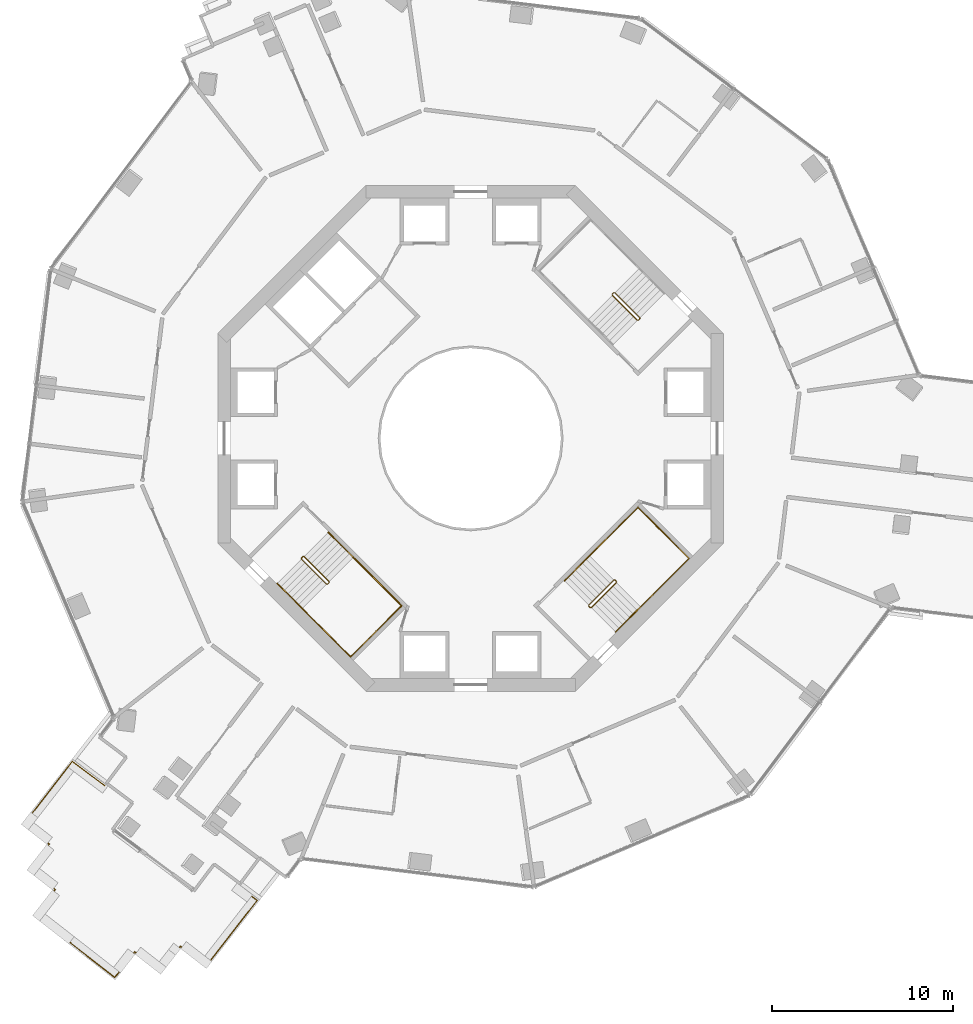
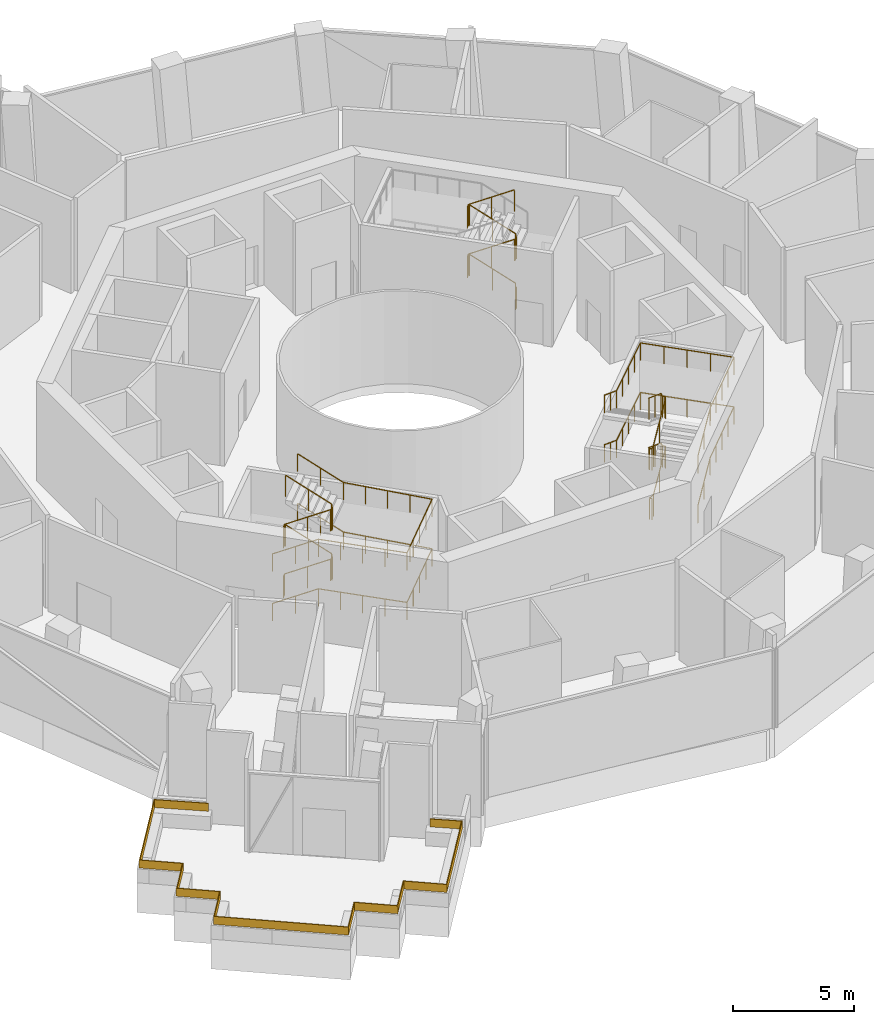
# One storey, part 16 of 17: 8 railings.
"""IFC4 building model written with IfcOpenShell, lengths in metres."""

import ifcopenshell
import ifcopenshell.guid

model = None  # the IFC model being written
_history = None  # IfcOwnerHistory: only IFC2X3 demands one
_inside = {}  # id of a spatial element -> (the spatial element, [elements in it])
_under = {}  # id of a project, library or spatial element -> (it, [spatial elements below it])
_declared = {}  # id of a project -> (the project, [libraries it declares])
_typed = {}  # id of a type object -> (the type object, [elements of that type])
_made_of = {}  # id of a material, layer set ... -> (it, [elements and type objects made of it])


def new_model(schema):
    """Start an empty IFC model of exactly this schema.

    Asked for "IFC4X3", IfcOpenShell would pick the latest addendum, in which some entities
    have other attributes; the version numbers below select the first issue.
    IFC2X3 requires an IfcOwnerHistory on every rooted entity: one is made here for all.
    """
    global model, _history
    if schema == "IFC4X3":
        model = ifcopenshell.file(schema_version=(4, 3, 0, 0))
    else:
        model = ifcopenshell.file(schema=schema)
    _inside.clear()
    _under.clear()
    _declared.clear()
    _typed.clear()
    _made_of.clear()
    _history = None
    if model.schema == "IFC2X3":
        org = make("IfcOrganization", Name="unknown")
        user = make(
            "IfcPersonAndOrganization",
            ThePerson=make("IfcPerson", FamilyName="unknown"),
            TheOrganization=org,
        )
        app = make(
            "IfcApplication",
            ApplicationDeveloper=org,
            Version="unknown",
            ApplicationFullName="unknown",
            ApplicationIdentifier="unknown",
        )
        _history = make(
            "IfcOwnerHistory",
            OwningUser=user,
            OwningApplication=app,
            ChangeAction="ADDED",
            CreationDate=0,
        )
    return model


def make(cls, **values):
    """One entity of the class cls with the attributes given. An attribute that is None is left unset."""
    return model.create_entity(
        cls, **{name: value for name, value in values.items() if value is not None}
    )


def rooted(cls, **values):
    """An entity with a GlobalId (a new one), such as an element, a storey or a relation."""
    return make(cls, GlobalId=ifcopenshell.guid.new(), OwnerHistory=_history, **values)


def si_unit(unit_type, name, prefix=None):
    """IfcSIUnit, for example si_unit("LENGTHUNIT", "METRE", prefix="MILLI")."""
    return make("IfcSIUnit", UnitType=unit_type, Prefix=prefix, Name=name)


def assignment(units):
    """IfcUnitAssignment: the units of a project."""
    return None if units is None else make("IfcUnitAssignment", Units=units)


def point(xyz):
    """IfcCartesianPoint."""
    return None if xyz is None else make("IfcCartesianPoint", Coordinates=xyz)


def direction(xyz):
    """IfcDirection."""
    return None if xyz is None else make("IfcDirection", DirectionRatios=xyz)


def frame(location, z_axis=None, x_axis=None):
    """IfcAxis2Placement3D, a coordinate frame: its origin and axes. An axis left out is left unset."""
    return make(
        "IfcAxis2Placement3D",
        Location=point(location),
        Axis=direction(z_axis),
        RefDirection=direction(x_axis),
    )


def frame_2d(location, x_axis=None):
    """IfcAxis2Placement2D, a coordinate frame in the plane: its origin and x axis."""
    return make(
        "IfcAxis2Placement2D", Location=point(location), RefDirection=direction(x_axis)
    )


def origin():
    """The frame at (0, 0, 0) with its axes left unset."""
    return frame((0.0, 0.0, 0.0))


def origin_2d():
    """The frame at (0, 0) in the plane with its x axis left unset."""
    return frame_2d((0.0, 0.0))


def place(relative_to, where):
    """IfcLocalPlacement: puts the frame where relative to a parent placement (None: the world)."""
    return make(
        "IfcLocalPlacement", PlacementRelTo=relative_to, RelativePlacement=where
    )


def context(
    kind, dimensions, precision=None, world=None, true_north=None, identifier=None
):
    """IfcGeometricRepresentationContext, for example the 3D "Model" context."""
    return make(
        "IfcGeometricRepresentationContext",
        ContextIdentifier=identifier,
        ContextType=kind,
        CoordinateSpaceDimension=dimensions,
        Precision=precision,
        WorldCoordinateSystem=world,
        TrueNorth=true_north,
    )


def subcontext(parent, identifier, kind, view, scale=None):
    """IfcGeometricRepresentationSubContext, for example "Body" below "Model"."""
    return make(
        "IfcGeometricRepresentationSubContext",
        ContextIdentifier=identifier,
        ContextType=kind,
        ParentContext=parent,
        TargetScale=scale,
        TargetView=view,
    )


def project(units=None, contexts=None):
    """IfcProject with its units and contexts."""
    return rooted(
        "IfcProject",
        Name="project",
        RepresentationContexts=contexts,
        UnitsInContext=assignment(units),
    )


def spatial(cls, under=None, at=None, **own):
    """A site, building, storey or space (cls), placed at a placement, below another one or the project."""
    s = rooted(cls, ObjectPlacement=at, **own)
    if under is not None:
        _under.setdefault(under.id(), (under, []))[1].append(s)
    return s


def polyline(points):
    """IfcPolyline through the points."""
    return make("IfcPolyline", Points=[point(p) for p in points])


def profile(cls, at=None, kind="AREA", **sizes):
    """A parametric profile (cls). Its sizes go by their IFC names, for example OverallWidth=200.0."""
    return make(cls, ProfileType=kind, Position=at, **sizes)


def circle(**sizes):
    """IfcCircleProfileDef."""
    return profile("IfcCircleProfileDef", **sizes)


def outline(outer, holes=None, kind="AREA"):
    """IfcArbitraryClosedProfileDef: a profile drawn as a closed curve; with holes, ...WithVoids."""
    if holes is None:
        return make("IfcArbitraryClosedProfileDef", ProfileType=kind, OuterCurve=outer)
    return make(
        "IfcArbitraryProfileDefWithVoids",
        ProfileType=kind,
        OuterCurve=outer,
        InnerCurves=holes,
    )


def extrude(swept, where, along, depth):
    """IfcExtrudedAreaSolid: the profile swept, set in the frame where, extruded along a direction by depth."""
    return make(
        "IfcExtrudedAreaSolid",
        SweptArea=swept,
        Position=where,
        ExtrudedDirection=direction(along),
        Depth=depth,
    )


def shape(context_of_items, identifier, shape_type, items):
    """IfcShapeRepresentation: the items that make up one representation, for example the "Body"."""
    return make(
        "IfcShapeRepresentation",
        ContextOfItems=context_of_items,
        RepresentationIdentifier=identifier,
        RepresentationType=shape_type,
        Items=items,
    )


def material(Name=None, Category=None):
    """IfcMaterial."""
    return make("IfcMaterial", Name=Name, Category=Category)


def layer(
    of_material, thickness, ventilated=None, Name=None, Category=None, Priority=None
):
    """IfcMaterialLayer: one layer of a wall or slab, of a material (None: an air gap)."""
    return make(
        "IfcMaterialLayer",
        Material=of_material,
        LayerThickness=thickness,
        IsVentilated=ventilated,
        Name=Name,
        Category=Category,
        Priority=Priority,
    )


def layer_set(layers, Name=None):
    """IfcMaterialLayerSet."""
    return make("IfcMaterialLayerSet", MaterialLayers=layers, LayerSetName=Name)


def made_of(thing, what):
    """Note that an element or type object is made of a material, layer set ...; save() writes the relation."""
    if what is not None:
        _made_of.setdefault(what.id(), (what, []))[1].append(thing)
    return thing


def type_object(cls, material=None, **own):
    """A type object (cls), such as IfcWallType, which elements share."""
    return made_of(rooted(cls, **own), material)


def element(
    cls,
    number,
    at=None,
    inside=None,
    cuts=None,
    type_object=None,
    material=None,
    context=None,
    identifier="Body",
    shape_type=None,
    held_by="IfcProductDefinitionShape",
    body=None,
    shapes=None,
    **own,
):
    """One element of the class cls, such as IfcWall. Its Tag is "e" and its number.

    at: its placement. inside: the storey or other place that contains it. cuts: it is an
    opening in that element (IfcRelVoidsElement). A single representation is given by context,
    identifier, shape_type and body (its items); several are given by shapes. held_by: the class
    of the entity that holds the representations. save() writes the other relations.
    """
    e = rooted(cls, Tag="e%d" % number, ObjectPlacement=at, **own)
    if body is not None:
        shapes = [shape(context, identifier, shape_type, body)]
    if shapes is not None:
        e.Representation = make(held_by, Representations=shapes)
    if inside is not None:
        _inside.setdefault(inside.id(), (inside, []))[1].append(e)
    if cuts is not None:
        rooted(
            "IfcRelVoidsElement", RelatingBuildingElement=cuts, RelatedOpeningElement=e
        )
    if type_object is not None:
        _typed.setdefault(type_object.id(), (type_object, []))[1].append(e)
    return made_of(e, material)


def aggregate(whole, parts):
    """IfcRelAggregates: a whole, such as a stair, and the parts it consists of."""
    return rooted("IfcRelAggregates", RelatingObject=whole, RelatedObjects=parts)


def save(model, path):
    """Write the relations noted so far, then the file.

    IfcRelAggregates (storeys below a building ...), IfcRelContainedInSpatialStructure (elements
    in a storey), IfcRelDefinesByType, IfcRelAssociatesMaterial and IfcRelDeclares: one each for
    every whole, place, type object, material and project.
    """
    for whole, parts in _under.values():
        aggregate(whole, parts)
    for where, things in _inside.values():
        rooted(
            "IfcRelContainedInSpatialStructure",
            RelatedElements=things,
            RelatingStructure=where,
        )
    for kind, things in _typed.values():
        rooted("IfcRelDefinesByType", RelatedObjects=things, RelatingType=kind)
    for what, things in _made_of.values():
        rooted("IfcRelAssociatesMaterial", RelatedObjects=things, RelatingMaterial=what)
    for by, libraries in _declared.values():
        rooted("IfcRelDeclares", RelatingContext=by, RelatedDefinitions=libraries)
    model.write(path)


model = new_model("IFC4")

# Units and contexts
model_context = context("Model", 3, precision=1e-05, world=origin(), true_north=direction((0.0, 1.0)))
body_context = subcontext(model_context, "Body", "Model", "MODEL_VIEW")
ifc_project = project(units=[si_unit("LENGTHUNIT", "METRE"), si_unit("AREAUNIT", "SQUARE_METRE"), si_unit("VOLUMEUNIT", "CUBIC_METRE"), si_unit("PLANEANGLEUNIT", "RADIAN"), si_unit("MASSUNIT", "GRAM", prefix="KILO")], contexts=[model_context])

# Site, building, storey
site_placement = place(None, origin())
site = spatial("IfcSite", under=ifc_project, at=site_placement, CompositionType="ELEMENT")
building_placement = place(site_placement, origin())
building = spatial("IfcBuilding", under=site, at=building_placement, Name="Verdalira Terraces Hotel", CompositionType="ELEMENT")
storey_placement = place(building_placement, frame((0.0, 0.0, 128.0)))
storey = spatial("IfcBuildingStorey", under=building, at=storey_placement, Name="L30", CompositionType="ELEMENT", Elevation=128.0)

# Railings
ifc_material_1 = material(Name="Laminated glass", Category="glass")
ifc_layer = layer(ifc_material_1, 0.0400390625)
ifc_layer_set = layer_set([ifc_layer], Name="Balcony glass guard 400")
railing_type_1 = type_object("IfcRailingType", Name="Balcony glass guard 400", PredefinedType="GUARDRAIL", material=ifc_layer_set)
railing_1_placement = place(storey_placement, frame((0.0, 0.0, 0.699951)))
element("IfcRailing", 1, at=railing_1_placement, inside=storey, type_object=railing_type_1, Name="Balcony glass guard", PredefinedType="GUARDRAIL", context=body_context, shape_type="SweptSolid", body=[
    extrude(outline(polyline([(-22.044434, -17.915527), (-24.265381, -20.766357), (-24.719238, -21.348877), (-23.299316, -22.455078), (-24.405518, -23.875244), (-22.985596, -24.981445), (-24.091797, -26.401367), (-22.182861, -27.888428), (-19.705566, -29.818359), (-18.599365, -28.398193), (-17.179443, -29.504395), (-16.073242, -28.084473), (-14.65332, -29.190674), (-11.847168, -25.588867), (-12.890381, -24.803711), (-12.866211, -24.771729), (-11.790527, -25.581299), (-14.64624, -29.246826), (-16.066162, -28.140625), (-17.172363, -29.560547), (-18.592285, -28.454346), (-19.698486, -29.874512), (-22.207275, -27.919922), (-24.147705, -26.408203), (-23.041504, -24.988281), (-24.46167, -23.88208), (-23.355469, -22.462158), (-24.775391, -21.355957), (-24.296875, -20.741699), (-22.052002, -17.860107), (-20.239014, -19.224121), (-20.262939, -19.256104), (-22.044434, -17.915527)])), origin(), (0.0, 0.0, 1.0), 0.400146),
])
ifc_material_2 = material(Name="Stainless steel", Category="steel")
railing_type_2 = type_object("IfcRailingType", Name="Stair guard 1100", PredefinedType="GUARDRAIL", material=ifc_material_2)
railing_2_placement = place(storey_placement, frame((9.369141, 6.611328, 0.0)))
element("IfcRailing", 2, at=railing_2_placement, inside=storey, type_object=railing_type_2, Name="L30 ST1 stair guard 1", PredefinedType="GUARDRAIL", context=body_context, shape_type="SweptSolid", body=[
    extrude(circle(Radius=0.023926, at=origin_2d()), frame((0.0, 0.0, 1.076172), z_axis=(-0.70832698, -0.705884473, 0.0), x_axis=(0.705884473, -0.70832698, 0.0)), (0.0, 0.0, 1.0), 0.099854),
    extrude(circle(Radius=0.023926, at=origin_2d()), frame((-0.070801, -0.070557, 1.076172), z_axis=(0.318519619, 0.635940894, 0.702939849), x_axis=(-0.894118129, 0.447831187, 0.0)), (0.0, 0.0, 1.0), 0.222168),
    extrude(circle(Radius=0.023926, at=origin_2d()), frame((0.0, 0.070801, 1.232422), z_axis=(-0.61747733, 0.61747733, 0.48728174), x_axis=(-0.707106781, -0.707106781, 0.0)), (0.0, 0.0, 1.0), 2.244629),
    extrude(circle(Radius=0.023926, at=origin_2d()), frame((-1.385986, 1.456787, 2.326172), z_axis=(-1.0, 0.0, 0.0), x_axis=(0.0, -1.0, 0.0)), (0.0, 0.0, 1.0), 0.070557),
    extrude(circle(Radius=0.023926, at=origin_2d()), frame((-1.456543, 1.456787, 2.326172), z_axis=(-0.707106781, -0.707106781, 0.0), x_axis=(0.707106781, -0.707106781, 0.0)), (0.0, 0.0, 1.0), 0.100098),
    extrude(circle(Radius=0.023926, at=origin_2d()), frame((-1.527344, 1.385986, 2.326172), z_axis=(0.0, -0.411548567, 0.91138783), x_axis=(1.0, 0.0, 0.0)), (0.0, 0.0, 1.0), 0.171387),
    extrude(circle(Radius=0.023926, at=origin_2d()), frame((-1.527344, 1.31543, 2.482422), z_axis=(0.61747733, -0.61747733, 0.48728174), x_axis=(0.707106781, 0.707106781, 0.0)), (0.0, 0.0, 1.0), 2.244629),
    extrude(circle(Radius=0.023926, at=origin_2d()), frame((-0.141357, -0.070557, 3.576172), z_axis=(1.0, 0.0, 0.0), x_axis=(0.0, 1.0, 0.0)), (0.0, 0.0, 1.0), 0.070557),
    extrude(circle(Radius=0.023926, at=origin_2d()), frame((-0.070801, -0.070557, 3.576172), z_axis=(0.70832698, 0.705884473, 0.0), x_axis=(-0.705884473, 0.70832698, 0.0)), (0.0, 0.0, 1.0), 0.099854),
    extrude(circle(Radius=0.023926, at=origin_2d()), frame((0.0, 0.0, 3.576172), z_axis=(0.0, 0.412730377, 0.910853246), x_axis=(-1.0, 0.0, 0.0)), (0.0, 0.0, 1.0), 0.171631),
    extrude(circle(Radius=0.023926, at=origin_2d()), frame((0.0, 0.070801, 3.732422), z_axis=(-0.61747733, 0.61747733, 0.48728174), x_axis=(-0.707106781, -0.707106781, 0.0)), (0.0, 0.0, 1.0), 2.244629),
    extrude(circle(Radius=0.023926, at=origin_2d()), frame((-1.385986, 1.456787, 4.826172), z_axis=(-1.0, 0.0, 0.0), x_axis=(0.0, -1.0, 0.0)), (0.0, 0.0, 1.0), 0.070557),
    extrude(circle(Radius=0.023926, at=origin_2d()), frame((-1.456543, 1.456787, 4.826172), z_axis=(-0.707106781, -0.707106781, 0.0), x_axis=(0.707106781, -0.707106781, 0.0)), (0.0, 0.0, 1.0), 0.100098),
    extrude(circle(Radius=0.023926, at=origin_2d()), frame((-1.527344, 1.385986, 4.826172), z_axis=(0.0, -0.411548567, 0.91138783), x_axis=(1.0, 0.0, 0.0)), (0.0, 0.0, 1.0), 0.171387),
    extrude(circle(Radius=0.023926, at=origin_2d()), frame((-1.527344, 1.31543, 4.982422), z_axis=(0.61747733, -0.61747733, 0.48728174), x_axis=(0.707106781, 0.707106781, 0.0)), (0.0, 0.0, 1.0), 2.244629),
    extrude(circle(Radius=0.020996, at=origin_2d()), origin(), (0.0, 0.0, 1.0), 1.052002),
    extrude(circle(Radius=0.020996, at=origin_2d()), frame((-0.070801, -0.070557, 0.0)), (0.0, 0.0, 1.0), 1.052002),
    extrude(circle(Radius=0.020996, at=origin_2d()), frame((0.0, 0.070801, 0.15625)), (0.0, 0.0, 1.0), 1.052002),
    extrude(circle(Radius=0.020996, at=origin_2d()), frame((-0.692871, 0.763672, 0.703125)), (0.0, 0.0, 1.0), 1.052002),
    extrude(circle(Radius=0.020996, at=origin_2d()), frame((-1.385986, 1.456787, 1.25)), (0.0, 0.0, 1.0), 1.052002),
    extrude(circle(Radius=0.020996, at=origin_2d()), frame((-1.456543, 1.456787, 1.25)), (0.0, 0.0, 1.0), 1.052002),
    extrude(circle(Radius=0.020996, at=origin_2d()), frame((-1.527344, 1.385986, 1.25)), (0.0, 0.0, 1.0), 1.052002),
    extrude(circle(Radius=0.020996, at=origin_2d()), frame((-1.527344, 1.31543, 1.40625)), (0.0, 0.0, 1.0), 1.052002),
    extrude(circle(Radius=0.020996, at=origin_2d()), frame((-0.834473, 0.622559, 1.953125)), (0.0, 0.0, 1.0), 1.052002),
    extrude(circle(Radius=0.020996, at=origin_2d()), frame((-0.141357, -0.070557, 2.5)), (0.0, 0.0, 1.0), 1.052002),
    extrude(circle(Radius=0.020996, at=origin_2d()), frame((-0.070801, -0.070557, 2.5)), (0.0, 0.0, 1.0), 1.052002),
    extrude(circle(Radius=0.020996, at=origin_2d()), frame((0.0, 0.0, 2.5)), (0.0, 0.0, 1.0), 1.052002),
    extrude(circle(Radius=0.020996, at=origin_2d()), frame((0.0, 0.070801, 2.65625)), (0.0, 0.0, 1.0), 1.052002),
    extrude(circle(Radius=0.020996, at=origin_2d()), frame((-0.692871, 0.763672, 3.203125)), (0.0, 0.0, 1.0), 1.052002),
    extrude(circle(Radius=0.020996, at=origin_2d()), frame((-1.385986, 1.456787, 3.75)), (0.0, 0.0, 1.0), 1.052002),
    extrude(circle(Radius=0.020996, at=origin_2d()), frame((-1.456543, 1.456787, 3.75)), (0.0, 0.0, 1.0), 1.052002),
    extrude(circle(Radius=0.020996, at=origin_2d()), frame((-1.527344, 1.385986, 3.75)), (0.0, 0.0, 1.0), 1.052002),
    extrude(circle(Radius=0.020996, at=origin_2d()), frame((-1.527344, 1.31543, 3.90625)), (0.0, 0.0, 1.0), 1.052002),
    extrude(circle(Radius=0.020996, at=origin_2d()), frame((-0.834473, 0.622559, 4.453125)), (0.0, 0.0, 1.0), 1.052002),
    extrude(circle(Radius=0.020996, at=origin_2d()), frame((-0.141357, -0.070557, 5.0)), (0.0, 0.0, 1.0), 1.052002),
])
railing_3_placement = place(storey_placement, frame((-9.369141, -6.611328, 0.0)))
element("IfcRailing", 3, at=railing_3_placement, inside=storey, type_object=railing_type_2, Name="L30 ST2 stair guard 1", PredefinedType="GUARDRAIL", context=body_context, shape_type="SweptSolid", body=[
    extrude(circle(Radius=0.023926, at=origin_2d()), frame((0.0, 0.0, 1.076172), z_axis=(0.70832698, 0.705884473, 0.0), x_axis=(-0.705884473, 0.70832698, 0.0)), (0.0, 0.0, 1.0), 0.099854),
    extrude(circle(Radius=0.023926, at=origin_2d()), frame((0.070801, 0.070557, 1.076172), z_axis=(-0.318519619, -0.635940894, 0.702939849), x_axis=(0.894118129, -0.447831187, 0.0)), (0.0, 0.0, 1.0), 0.222168),
    extrude(circle(Radius=0.023926, at=origin_2d()), frame((0.0, -0.070801, 1.232422), z_axis=(0.61747733, -0.61747733, 0.48728174), x_axis=(0.707106781, 0.707106781, 0.0)), (0.0, 0.0, 1.0), 2.244629),
    extrude(circle(Radius=0.023926, at=origin_2d()), frame((1.385986, -1.456787, 2.326172), z_axis=(1.0, 0.0, 0.0), x_axis=(0.0, 1.0, 0.0)), (0.0, 0.0, 1.0), 0.070557),
    extrude(circle(Radius=0.023926, at=origin_2d()), frame((1.456543, -1.456787, 2.326172), z_axis=(0.707106781, 0.707106781, 0.0), x_axis=(-0.707106781, 0.707106781, 0.0)), (0.0, 0.0, 1.0), 0.100098),
    extrude(circle(Radius=0.023926, at=origin_2d()), frame((1.527344, -1.385986, 2.326172), z_axis=(0.0, 0.411548567, 0.91138783), x_axis=(-1.0, 0.0, 0.0)), (0.0, 0.0, 1.0), 0.171387),
    extrude(circle(Radius=0.023926, at=origin_2d()), frame((1.527344, -1.31543, 2.482422), z_axis=(-0.61747733, 0.61747733, 0.48728174), x_axis=(-0.707106781, -0.707106781, 0.0)), (0.0, 0.0, 1.0), 2.244629),
    extrude(circle(Radius=0.023926, at=origin_2d()), frame((0.141357, 0.070557, 3.576172), z_axis=(-1.0, 0.0, 0.0), x_axis=(0.0, -1.0, 0.0)), (0.0, 0.0, 1.0), 0.070557),
    extrude(circle(Radius=0.023926, at=origin_2d()), frame((0.070801, 0.070557, 3.576172), z_axis=(-0.70832698, -0.705884473, 0.0), x_axis=(0.705884473, -0.70832698, 0.0)), (0.0, 0.0, 1.0), 0.099854),
    extrude(circle(Radius=0.023926, at=origin_2d()), frame((0.0, 0.0, 3.576172), z_axis=(0.0, -0.412730377, 0.910853246), x_axis=(1.0, 0.0, 0.0)), (0.0, 0.0, 1.0), 0.171631),
    extrude(circle(Radius=0.023926, at=origin_2d()), frame((0.0, -0.070801, 3.732422), z_axis=(0.61747733, -0.61747733, 0.48728174), x_axis=(0.707106781, 0.707106781, 0.0)), (0.0, 0.0, 1.0), 2.244629),
    extrude(circle(Radius=0.023926, at=origin_2d()), frame((1.385986, -1.456787, 4.826172), z_axis=(1.0, 0.0, 0.0), x_axis=(0.0, 1.0, 0.0)), (0.0, 0.0, 1.0), 0.070557),
    extrude(circle(Radius=0.023926, at=origin_2d()), frame((1.456543, -1.456787, 4.826172), z_axis=(0.707106781, 0.707106781, 0.0), x_axis=(-0.707106781, 0.707106781, 0.0)), (0.0, 0.0, 1.0), 0.100098),
    extrude(circle(Radius=0.023926, at=origin_2d()), frame((1.527344, -1.385986, 4.826172), z_axis=(0.0, 0.411548567, 0.91138783), x_axis=(-1.0, 0.0, 0.0)), (0.0, 0.0, 1.0), 0.171387),
    extrude(circle(Radius=0.023926, at=origin_2d()), frame((1.527344, -1.31543, 4.982422), z_axis=(-0.61747733, 0.61747733, 0.48728174), x_axis=(-0.707106781, -0.707106781, 0.0)), (0.0, 0.0, 1.0), 2.244629),
    extrude(circle(Radius=0.020996, at=origin_2d()), origin(), (0.0, 0.0, 1.0), 1.052002),
    extrude(circle(Radius=0.020996, at=origin_2d()), frame((0.070801, 0.070557, 0.0)), (0.0, 0.0, 1.0), 1.052002),
    extrude(circle(Radius=0.020996, at=origin_2d()), frame((0.0, -0.070801, 0.15625)), (0.0, 0.0, 1.0), 1.052002),
    extrude(circle(Radius=0.020996, at=origin_2d()), frame((0.692871, -0.763672, 0.703125)), (0.0, 0.0, 1.0), 1.052002),
    extrude(circle(Radius=0.020996, at=origin_2d()), frame((1.385986, -1.456787, 1.25)), (0.0, 0.0, 1.0), 1.052002),
    extrude(circle(Radius=0.020996, at=origin_2d()), frame((1.456543, -1.456787, 1.25)), (0.0, 0.0, 1.0), 1.052002),
    extrude(circle(Radius=0.020996, at=origin_2d()), frame((1.527344, -1.385986, 1.25)), (0.0, 0.0, 1.0), 1.052002),
    extrude(circle(Radius=0.020996, at=origin_2d()), frame((1.527344, -1.31543, 1.40625)), (0.0, 0.0, 1.0), 1.052002),
    extrude(circle(Radius=0.020996, at=origin_2d()), frame((0.834473, -0.622559, 1.953125)), (0.0, 0.0, 1.0), 1.052002),
    extrude(circle(Radius=0.020996, at=origin_2d()), frame((0.141357, 0.070557, 2.5)), (0.0, 0.0, 1.0), 1.052002),
    extrude(circle(Radius=0.020996, at=origin_2d()), frame((0.070801, 0.070557, 2.5)), (0.0, 0.0, 1.0), 1.052002),
    extrude(circle(Radius=0.020996, at=origin_2d()), frame((0.0, 0.0, 2.5)), (0.0, 0.0, 1.0), 1.052002),
    extrude(circle(Radius=0.020996, at=origin_2d()), frame((0.0, -0.070801, 2.65625)), (0.0, 0.0, 1.0), 1.052002),
    extrude(circle(Radius=0.020996, at=origin_2d()), frame((0.692871, -0.763672, 3.203125)), (0.0, 0.0, 1.0), 1.052002),
    extrude(circle(Radius=0.020996, at=origin_2d()), frame((1.385986, -1.456787, 3.75)), (0.0, 0.0, 1.0), 1.052002),
    extrude(circle(Radius=0.020996, at=origin_2d()), frame((1.456543, -1.456787, 3.75)), (0.0, 0.0, 1.0), 1.052002),
    extrude(circle(Radius=0.020996, at=origin_2d()), frame((1.527344, -1.385986, 3.75)), (0.0, 0.0, 1.0), 1.052002),
    extrude(circle(Radius=0.020996, at=origin_2d()), frame((1.527344, -1.31543, 3.90625)), (0.0, 0.0, 1.0), 1.052002),
    extrude(circle(Radius=0.020996, at=origin_2d()), frame((0.834473, -0.622559, 4.453125)), (0.0, 0.0, 1.0), 1.052002),
    extrude(circle(Radius=0.020996, at=origin_2d()), frame((0.141357, 0.070557, 5.0)), (0.0, 0.0, 1.0), 1.052002),
])
railing_4_placement = place(storey_placement, frame((6.611328, -9.369141, 0.0)))
element("IfcRailing", 4, at=railing_4_placement, inside=storey, type_object=railing_type_2, Name="L30 ST3 stair guard 1", PredefinedType="GUARDRAIL", context=body_context, shape_type="SweptSolid", body=[
    extrude(circle(Radius=0.023926, at=origin_2d()), frame((0.0, 0.0, 1.076172), z_axis=(-0.705884473, 0.70832698, 0.0), x_axis=(-0.70832698, -0.705884473, 0.0)), (0.0, 0.0, 1.0), 0.099854),
    extrude(circle(Radius=0.023926, at=origin_2d()), frame((-0.070557, 0.070801, 1.076172), z_axis=(0.635940894, -0.318519619, 0.702939849), x_axis=(0.447831187, 0.894118129, 0.0)), (0.0, 0.0, 1.0), 0.222168),
    extrude(circle(Radius=0.023926, at=origin_2d()), frame((0.070801, 0.0, 1.232422), z_axis=(0.61747733, 0.61747733, 0.48728174), x_axis=(-0.707106781, 0.707106781, 0.0)), (0.0, 0.0, 1.0), 2.244629),
    extrude(circle(Radius=0.023926, at=origin_2d()), frame((1.456787, 1.385986, 2.326172), z_axis=(0.0, 1.0, 0.0), x_axis=(-1.0, 0.0, 0.0)), (0.0, 0.0, 1.0), 0.070557),
    extrude(circle(Radius=0.023926, at=origin_2d()), frame((1.456787, 1.456543, 2.326172), z_axis=(-0.707106781, 0.707106781, 0.0), x_axis=(-0.707106781, -0.707106781, 0.0)), (0.0, 0.0, 1.0), 0.100098),
    extrude(circle(Radius=0.023926, at=origin_2d()), frame((1.385986, 1.527344, 2.326172), z_axis=(-0.411548567, 0.0, 0.91138783), x_axis=(0.0, -1.0, 0.0)), (0.0, 0.0, 1.0), 0.171387),
    extrude(circle(Radius=0.023926, at=origin_2d()), frame((1.31543, 1.527344, 2.482422), z_axis=(-0.61747733, -0.61747733, 0.48728174), x_axis=(0.707106781, -0.707106781, 0.0)), (0.0, 0.0, 1.0), 2.244629),
    extrude(circle(Radius=0.023926, at=origin_2d()), frame((-0.070557, 0.141357, 3.576172), z_axis=(0.0, -1.0, 0.0), x_axis=(1.0, 0.0, 0.0)), (0.0, 0.0, 1.0), 0.070557),
    extrude(circle(Radius=0.023926, at=origin_2d()), frame((-0.070557, 0.070801, 3.576172), z_axis=(0.705884473, -0.70832698, 0.0), x_axis=(0.70832698, 0.705884473, 0.0)), (0.0, 0.0, 1.0), 0.099854),
    extrude(circle(Radius=0.023926, at=origin_2d()), frame((0.0, 0.0, 3.576172), z_axis=(0.412730377, 0.0, 0.910853246), x_axis=(0.0, 1.0, 0.0)), (0.0, 0.0, 1.0), 0.171631),
    extrude(circle(Radius=0.023926, at=origin_2d()), frame((0.070801, 0.0, 3.732422), z_axis=(0.61747733, 0.61747733, 0.48728174), x_axis=(-0.707106781, 0.707106781, 0.0)), (0.0, 0.0, 1.0), 2.244629),
    extrude(circle(Radius=0.023926, at=origin_2d()), frame((1.456787, 1.385986, 4.826172), z_axis=(0.0, 1.0, 0.0), x_axis=(-1.0, 0.0, 0.0)), (0.0, 0.0, 1.0), 0.070557),
    extrude(circle(Radius=0.023926, at=origin_2d()), frame((1.456787, 1.456543, 4.826172), z_axis=(-0.707106781, 0.707106781, 0.0), x_axis=(-0.707106781, -0.707106781, 0.0)), (0.0, 0.0, 1.0), 0.100098),
    extrude(circle(Radius=0.023926, at=origin_2d()), frame((1.385986, 1.527344, 4.826172), z_axis=(-0.411548567, 0.0, 0.91138783), x_axis=(0.0, -1.0, 0.0)), (0.0, 0.0, 1.0), 0.171387),
    extrude(circle(Radius=0.023926, at=origin_2d()), frame((1.31543, 1.527344, 4.982422), z_axis=(-0.61747733, -0.61747733, 0.48728174), x_axis=(0.707106781, -0.707106781, 0.0)), (0.0, 0.0, 1.0), 2.244629),
    extrude(circle(Radius=0.020996, at=origin_2d()), origin(), (0.0, 0.0, 1.0), 1.052002),
    extrude(circle(Radius=0.020996, at=origin_2d()), frame((-0.070557, 0.070801, 0.0)), (0.0, 0.0, 1.0), 1.052002),
    extrude(circle(Radius=0.020996, at=origin_2d()), frame((0.070801, 0.0, 0.15625)), (0.0, 0.0, 1.0), 1.052002),
    extrude(circle(Radius=0.020996, at=origin_2d()), frame((0.763672, 0.692871, 0.703125)), (0.0, 0.0, 1.0), 1.052002),
    extrude(circle(Radius=0.020996, at=origin_2d()), frame((1.456787, 1.385986, 1.25)), (0.0, 0.0, 1.0), 1.052002),
    extrude(circle(Radius=0.020996, at=origin_2d()), frame((1.456787, 1.456543, 1.25)), (0.0, 0.0, 1.0), 1.052002),
    extrude(circle(Radius=0.020996, at=origin_2d()), frame((1.385986, 1.527344, 1.25)), (0.0, 0.0, 1.0), 1.052002),
    extrude(circle(Radius=0.020996, at=origin_2d()), frame((1.31543, 1.527344, 1.40625)), (0.0, 0.0, 1.0), 1.052002),
    extrude(circle(Radius=0.020996, at=origin_2d()), frame((0.622559, 0.834473, 1.953125)), (0.0, 0.0, 1.0), 1.052002),
    extrude(circle(Radius=0.020996, at=origin_2d()), frame((-0.070557, 0.141357, 2.5)), (0.0, 0.0, 1.0), 1.052002),
    extrude(circle(Radius=0.020996, at=origin_2d()), frame((-0.070557, 0.070801, 2.5)), (0.0, 0.0, 1.0), 1.052002),
    extrude(circle(Radius=0.020996, at=origin_2d()), frame((0.0, 0.0, 2.5)), (0.0, 0.0, 1.0), 1.052002),
    extrude(circle(Radius=0.020996, at=origin_2d()), frame((0.070801, 0.0, 2.65625)), (0.0, 0.0, 1.0), 1.052002),
    extrude(circle(Radius=0.020996, at=origin_2d()), frame((0.763672, 0.692871, 3.203125)), (0.0, 0.0, 1.0), 1.052002),
    extrude(circle(Radius=0.020996, at=origin_2d()), frame((1.456787, 1.385986, 3.75)), (0.0, 0.0, 1.0), 1.052002),
    extrude(circle(Radius=0.020996, at=origin_2d()), frame((1.456787, 1.456543, 3.75)), (0.0, 0.0, 1.0), 1.052002),
    extrude(circle(Radius=0.020996, at=origin_2d()), frame((1.385986, 1.527344, 3.75)), (0.0, 0.0, 1.0), 1.052002),
    extrude(circle(Radius=0.020996, at=origin_2d()), frame((1.31543, 1.527344, 3.90625)), (0.0, 0.0, 1.0), 1.052002),
    extrude(circle(Radius=0.020996, at=origin_2d()), frame((0.622559, 0.834473, 4.453125)), (0.0, 0.0, 1.0), 1.052002),
    extrude(circle(Radius=0.020996, at=origin_2d()), frame((-0.070557, 0.141357, 5.0)), (0.0, 0.0, 1.0), 1.052002),
])
ifc_material_3 = material(Name="Stainless steel", Category="steel")
railing_type_3 = type_object("IfcRailingType", Name="Stair handrail 900", PredefinedType="HANDRAIL", material=ifc_material_3)
railing_5_placement = place(storey_placement, frame((-10.712646, -8.025635, 0.15625)))
element("IfcRailing", 5, at=railing_5_placement, inside=storey, type_object=railing_type_3, Name="L30 ST2 stair handrail 1", PredefinedType="HANDRAIL", context=body_context, shape_type="SweptSolid", body=[
    extrude(circle(Radius=0.023926, at=origin_2d()), frame((0.0, 0.0, 0.875977), z_axis=(0.61747733, -0.61747733, 0.48728174), x_axis=(0.707106781, 0.707106781, 0.0)), (0.0, 0.0, 1.0), 2.244629),
    extrude(circle(Radius=0.023926, at=origin_2d()), frame((1.385986, -1.385986, 1.969727), z_axis=(0.707106781, -0.707106781, 0.0), x_axis=(0.707106781, 0.707106781, 0.0)), (0.0, 0.0, 1.0), 3.790039),
    extrude(circle(Radius=0.023926, at=origin_2d()), frame((4.065918, -4.065918, 1.969727), z_axis=(0.707106781, 0.707106781, 0.0), x_axis=(-0.707106781, 0.707106781, 0.0)), (0.0, 0.0, 1.0), 4.0),
    extrude(circle(Radius=0.023926, at=origin_2d()), frame((6.894287, -1.237549, 1.969727), z_axis=(-0.706506625, 0.706506625, 0.041191969), x_axis=(-0.707106781, -0.707106781, 0.0)), (0.0, 0.0, 1.0), 3.793213),
    extrude(circle(Radius=0.023926, at=origin_2d()), frame((4.214355, 1.442383, 2.125977), z_axis=(-0.61747733, 0.61747733, 0.48728174), x_axis=(-0.707106781, -0.707106781, 0.0)), (0.0, 0.0, 1.0), 2.244629),
    extrude(circle(Radius=0.020996, at=origin_2d()), origin(), (0.0, 0.0, 1.0), 0.851807),
    extrude(circle(Radius=0.020996, at=origin_2d()), frame((0.692871, -0.692871, 0.546875)), (0.0, 0.0, 1.0), 0.851807),
    extrude(circle(Radius=0.020996, at=origin_2d()), frame((1.385986, -1.385986, 1.09375)), (0.0, 0.0, 1.0), 0.851807),
    extrude(circle(Radius=0.020996, at=origin_2d()), frame((2.055908, -2.055908, 1.09375)), (0.0, 0.0, 1.0), 0.851807),
    extrude(circle(Radius=0.020996, at=origin_2d()), frame((2.726074, -2.726074, 1.09375)), (0.0, 0.0, 1.0), 0.851807),
    extrude(circle(Radius=0.020996, at=origin_2d()), frame((3.395996, -3.395996, 1.09375)), (0.0, 0.0, 1.0), 0.851807),
    extrude(circle(Radius=0.020996, at=origin_2d()), frame((4.065918, -4.065918, 1.09375)), (0.0, 0.0, 1.0), 0.851807),
    extrude(circle(Radius=0.020996, at=origin_2d()), frame((4.772949, -3.358887, 1.09375)), (0.0, 0.0, 1.0), 0.851807),
    extrude(circle(Radius=0.020996, at=origin_2d()), frame((5.47998, -2.651855, 1.09375)), (0.0, 0.0, 1.0), 0.851807),
    extrude(circle(Radius=0.020996, at=origin_2d()), frame((6.187256, -1.94458, 1.09375)), (0.0, 0.0, 1.0), 0.851807),
    extrude(circle(Radius=0.020996, at=origin_2d()), frame((6.894287, -1.237549, 1.09375)), (0.0, 0.0, 1.0), 0.851807),
    extrude(circle(Radius=0.020996, at=origin_2d()), frame((6.224365, -0.567627, 1.132812)), (0.0, 0.0, 1.0), 0.851807),
    extrude(circle(Radius=0.020996, at=origin_2d()), frame((5.554199, 0.102539, 1.171875)), (0.0, 0.0, 1.0), 0.851807),
    extrude(circle(Radius=0.020996, at=origin_2d()), frame((4.884277, 0.772461, 1.210938)), (0.0, 0.0, 1.0), 0.851807),
    extrude(circle(Radius=0.020996, at=origin_2d()), frame((4.214355, 1.442383, 1.25)), (0.0, 0.0, 1.0), 0.851807),
    extrude(circle(Radius=0.020996, at=origin_2d()), frame((3.521484, 2.135254, 1.796875)), (0.0, 0.0, 1.0), 0.851807),
    extrude(circle(Radius=0.020996, at=origin_2d()), frame((2.828369, 2.828369, 2.34375)), (0.0, 0.0, 1.0), 0.851807),
])
railing_6_placement = place(storey_placement, frame((-10.712646, -8.025635, 2.65625)))
element("IfcRailing", 6, at=railing_6_placement, inside=storey, type_object=railing_type_3, Name="L30 ST2 stair handrail 2", PredefinedType="HANDRAIL", context=body_context, shape_type="SweptSolid", body=[
    extrude(circle(Radius=0.023926, at=origin_2d()), frame((0.0, 0.0, 0.875977), z_axis=(0.61747733, -0.61747733, 0.48728174), x_axis=(0.707106781, 0.707106781, 0.0)), (0.0, 0.0, 1.0), 2.244629),
    extrude(circle(Radius=0.023926, at=origin_2d()), frame((1.385986, -1.385986, 1.969727), z_axis=(0.707106781, -0.707106781, 0.0), x_axis=(0.707106781, 0.707106781, 0.0)), (0.0, 0.0, 1.0), 3.790039),
    extrude(circle(Radius=0.023926, at=origin_2d()), frame((4.065918, -4.065918, 1.969727), z_axis=(0.707106781, 0.707106781, 0.0), x_axis=(-0.707106781, 0.707106781, 0.0)), (0.0, 0.0, 1.0), 4.0),
    extrude(circle(Radius=0.023926, at=origin_2d()), frame((6.894287, -1.237549, 1.969727), z_axis=(-0.706506625, 0.706506625, 0.041191969), x_axis=(-0.707106781, -0.707106781, 0.0)), (0.0, 0.0, 1.0), 3.793213),
    extrude(circle(Radius=0.023926, at=origin_2d()), frame((4.214355, 1.442383, 2.125977), z_axis=(-0.61747733, 0.61747733, 0.48728174), x_axis=(-0.707106781, -0.707106781, 0.0)), (0.0, 0.0, 1.0), 2.244629),
    extrude(circle(Radius=0.020996, at=origin_2d()), origin(), (0.0, 0.0, 1.0), 0.851807),
    extrude(circle(Radius=0.020996, at=origin_2d()), frame((0.692871, -0.692871, 0.546875)), (0.0, 0.0, 1.0), 0.851807),
    extrude(circle(Radius=0.020996, at=origin_2d()), frame((1.385986, -1.385986, 1.09375)), (0.0, 0.0, 1.0), 0.851807),
    extrude(circle(Radius=0.020996, at=origin_2d()), frame((2.055908, -2.055908, 1.09375)), (0.0, 0.0, 1.0), 0.851807),
    extrude(circle(Radius=0.020996, at=origin_2d()), frame((2.726074, -2.726074, 1.09375)), (0.0, 0.0, 1.0), 0.851807),
    extrude(circle(Radius=0.020996, at=origin_2d()), frame((3.395996, -3.395996, 1.09375)), (0.0, 0.0, 1.0), 0.851807),
    extrude(circle(Radius=0.020996, at=origin_2d()), frame((4.065918, -4.065918, 1.09375)), (0.0, 0.0, 1.0), 0.851807),
    extrude(circle(Radius=0.020996, at=origin_2d()), frame((4.772949, -3.358887, 1.09375)), (0.0, 0.0, 1.0), 0.851807),
    extrude(circle(Radius=0.020996, at=origin_2d()), frame((5.47998, -2.651855, 1.09375)), (0.0, 0.0, 1.0), 0.851807),
    extrude(circle(Radius=0.020996, at=origin_2d()), frame((6.187256, -1.94458, 1.09375)), (0.0, 0.0, 1.0), 0.851807),
    extrude(circle(Radius=0.020996, at=origin_2d()), frame((6.894287, -1.237549, 1.09375)), (0.0, 0.0, 1.0), 0.851807),
    extrude(circle(Radius=0.020996, at=origin_2d()), frame((6.224365, -0.567627, 1.132812)), (0.0, 0.0, 1.0), 0.851807),
    extrude(circle(Radius=0.020996, at=origin_2d()), frame((5.554199, 0.102539, 1.171875)), (0.0, 0.0, 1.0), 0.851807),
    extrude(circle(Radius=0.020996, at=origin_2d()), frame((4.884277, 0.772461, 1.210938)), (0.0, 0.0, 1.0), 0.851807),
    extrude(circle(Radius=0.020996, at=origin_2d()), frame((4.214355, 1.442383, 1.25)), (0.0, 0.0, 1.0), 0.851807),
    extrude(circle(Radius=0.020996, at=origin_2d()), frame((3.521484, 2.135254, 1.796875)), (0.0, 0.0, 1.0), 0.851807),
    extrude(circle(Radius=0.020996, at=origin_2d()), frame((2.828369, 2.828369, 2.34375)), (0.0, 0.0, 1.0), 0.851807),
])
railing_7_placement = place(storey_placement, frame((8.025635, -10.712646, 0.15625)))
element("IfcRailing", 7, at=railing_7_placement, inside=storey, type_object=railing_type_3, Name="L30 ST3 stair handrail 1", PredefinedType="HANDRAIL", context=body_context, shape_type="SweptSolid", body=[
    extrude(circle(Radius=0.023926, at=origin_2d()), frame((0.0, 0.0, 0.875977), z_axis=(0.61747733, 0.61747733, 0.48728174), x_axis=(-0.707106781, 0.707106781, 0.0)), (0.0, 0.0, 1.0), 2.244629),
    extrude(circle(Radius=0.023926, at=origin_2d()), frame((1.385986, 1.385986, 1.969727), z_axis=(0.707106781, 0.707106781, 0.0), x_axis=(-0.707106781, 0.707106781, 0.0)), (0.0, 0.0, 1.0), 3.790039),
    extrude(circle(Radius=0.023926, at=origin_2d()), frame((4.065918, 4.065918, 1.969727), z_axis=(-0.707106781, 0.707106781, 0.0), x_axis=(-0.707106781, -0.707106781, 0.0)), (0.0, 0.0, 1.0), 4.0),
    extrude(circle(Radius=0.023926, at=origin_2d()), frame((1.237549, 6.894287, 1.969727), z_axis=(-0.706506625, -0.706506625, 0.041191969), x_axis=(0.707106781, -0.707106781, 0.0)), (0.0, 0.0, 1.0), 3.793213),
    extrude(circle(Radius=0.023926, at=origin_2d()), frame((-1.442383, 4.214355, 2.125977), z_axis=(-0.61747733, -0.61747733, 0.48728174), x_axis=(0.707106781, -0.707106781, 0.0)), (0.0, 0.0, 1.0), 2.244629),
    extrude(circle(Radius=0.020996, at=origin_2d()), origin(), (0.0, 0.0, 1.0), 0.851807),
    extrude(circle(Radius=0.020996, at=origin_2d()), frame((0.692871, 0.692871, 0.546875)), (0.0, 0.0, 1.0), 0.851807),
    extrude(circle(Radius=0.020996, at=origin_2d()), frame((1.385986, 1.385986, 1.09375)), (0.0, 0.0, 1.0), 0.851807),
    extrude(circle(Radius=0.020996, at=origin_2d()), frame((2.055908, 2.055908, 1.09375)), (0.0, 0.0, 1.0), 0.851807),
    extrude(circle(Radius=0.020996, at=origin_2d()), frame((2.726074, 2.726074, 1.09375)), (0.0, 0.0, 1.0), 0.851807),
    extrude(circle(Radius=0.020996, at=origin_2d()), frame((3.395996, 3.395996, 1.09375)), (0.0, 0.0, 1.0), 0.851807),
    extrude(circle(Radius=0.020996, at=origin_2d()), frame((4.065918, 4.065918, 1.09375)), (0.0, 0.0, 1.0), 0.851807),
    extrude(circle(Radius=0.020996, at=origin_2d()), frame((3.358887, 4.772949, 1.09375)), (0.0, 0.0, 1.0), 0.851807),
    extrude(circle(Radius=0.020996, at=origin_2d()), frame((2.651855, 5.47998, 1.09375)), (0.0, 0.0, 1.0), 0.851807),
    extrude(circle(Radius=0.020996, at=origin_2d()), frame((1.94458, 6.187256, 1.09375)), (0.0, 0.0, 1.0), 0.851807),
    extrude(circle(Radius=0.020996, at=origin_2d()), frame((1.237549, 6.894287, 1.09375)), (0.0, 0.0, 1.0), 0.851807),
    extrude(circle(Radius=0.020996, at=origin_2d()), frame((0.567627, 6.224365, 1.132812)), (0.0, 0.0, 1.0), 0.851807),
    extrude(circle(Radius=0.020996, at=origin_2d()), frame((-0.102539, 5.554199, 1.171875)), (0.0, 0.0, 1.0), 0.851807),
    extrude(circle(Radius=0.020996, at=origin_2d()), frame((-0.772461, 4.884277, 1.210938)), (0.0, 0.0, 1.0), 0.851807),
    extrude(circle(Radius=0.020996, at=origin_2d()), frame((-1.442383, 4.214355, 1.25)), (0.0, 0.0, 1.0), 0.851807),
    extrude(circle(Radius=0.020996, at=origin_2d()), frame((-2.135254, 3.521484, 1.796875)), (0.0, 0.0, 1.0), 0.851807),
    extrude(circle(Radius=0.020996, at=origin_2d()), frame((-2.828369, 2.828369, 2.34375)), (0.0, 0.0, 1.0), 0.851807),
])
railing_8_placement = place(storey_placement, frame((8.025635, -10.712646, 2.65625)))
element("IfcRailing", 8, at=railing_8_placement, inside=storey, type_object=railing_type_3, Name="L30 ST3 stair handrail 2", PredefinedType="HANDRAIL", context=body_context, shape_type="SweptSolid", body=[
    extrude(circle(Radius=0.023926, at=origin_2d()), frame((0.0, 0.0, 0.875977), z_axis=(0.61747733, 0.61747733, 0.48728174), x_axis=(-0.707106781, 0.707106781, 0.0)), (0.0, 0.0, 1.0), 2.244629),
    extrude(circle(Radius=0.023926, at=origin_2d()), frame((1.385986, 1.385986, 1.969727), z_axis=(0.707106781, 0.707106781, 0.0), x_axis=(-0.707106781, 0.707106781, 0.0)), (0.0, 0.0, 1.0), 3.790039),
    extrude(circle(Radius=0.023926, at=origin_2d()), frame((4.065918, 4.065918, 1.969727), z_axis=(-0.707106781, 0.707106781, 0.0), x_axis=(-0.707106781, -0.707106781, 0.0)), (0.0, 0.0, 1.0), 4.0),
    extrude(circle(Radius=0.023926, at=origin_2d()), frame((1.237549, 6.894287, 1.969727), z_axis=(-0.706506625, -0.706506625, 0.041191969), x_axis=(0.707106781, -0.707106781, 0.0)), (0.0, 0.0, 1.0), 3.793213),
    extrude(circle(Radius=0.023926, at=origin_2d()), frame((-1.442383, 4.214355, 2.125977), z_axis=(-0.61747733, -0.61747733, 0.48728174), x_axis=(0.707106781, -0.707106781, 0.0)), (0.0, 0.0, 1.0), 2.244629),
    extrude(circle(Radius=0.020996, at=origin_2d()), origin(), (0.0, 0.0, 1.0), 0.851807),
    extrude(circle(Radius=0.020996, at=origin_2d()), frame((0.692871, 0.692871, 0.546875)), (0.0, 0.0, 1.0), 0.851807),
    extrude(circle(Radius=0.020996, at=origin_2d()), frame((1.385986, 1.385986, 1.09375)), (0.0, 0.0, 1.0), 0.851807),
    extrude(circle(Radius=0.020996, at=origin_2d()), frame((2.055908, 2.055908, 1.09375)), (0.0, 0.0, 1.0), 0.851807),
    extrude(circle(Radius=0.020996, at=origin_2d()), frame((2.726074, 2.726074, 1.09375)), (0.0, 0.0, 1.0), 0.851807),
    extrude(circle(Radius=0.020996, at=origin_2d()), frame((3.395996, 3.395996, 1.09375)), (0.0, 0.0, 1.0), 0.851807),
    extrude(circle(Radius=0.020996, at=origin_2d()), frame((4.065918, 4.065918, 1.09375)), (0.0, 0.0, 1.0), 0.851807),
    extrude(circle(Radius=0.020996, at=origin_2d()), frame((3.358887, 4.772949, 1.09375)), (0.0, 0.0, 1.0), 0.851807),
    extrude(circle(Radius=0.020996, at=origin_2d()), frame((2.651855, 5.47998, 1.09375)), (0.0, 0.0, 1.0), 0.851807),
    extrude(circle(Radius=0.020996, at=origin_2d()), frame((1.94458, 6.187256, 1.09375)), (0.0, 0.0, 1.0), 0.851807),
    extrude(circle(Radius=0.020996, at=origin_2d()), frame((1.237549, 6.894287, 1.09375)), (0.0, 0.0, 1.0), 0.851807),
    extrude(circle(Radius=0.020996, at=origin_2d()), frame((0.567627, 6.224365, 1.132812)), (0.0, 0.0, 1.0), 0.851807),
    extrude(circle(Radius=0.020996, at=origin_2d()), frame((-0.102539, 5.554199, 1.171875)), (0.0, 0.0, 1.0), 0.851807),
    extrude(circle(Radius=0.020996, at=origin_2d()), frame((-0.772461, 4.884277, 1.210938)), (0.0, 0.0, 1.0), 0.851807),
    extrude(circle(Radius=0.020996, at=origin_2d()), frame((-1.442383, 4.214355, 1.25)), (0.0, 0.0, 1.0), 0.851807),
    extrude(circle(Radius=0.020996, at=origin_2d()), frame((-2.135254, 3.521484, 1.796875)), (0.0, 0.0, 1.0), 0.851807),
    extrude(circle(Radius=0.020996, at=origin_2d()), frame((-2.828369, 2.828369, 2.34375)), (0.0, 0.0, 1.0), 0.851807),
])

save(model, "model.ifc")
